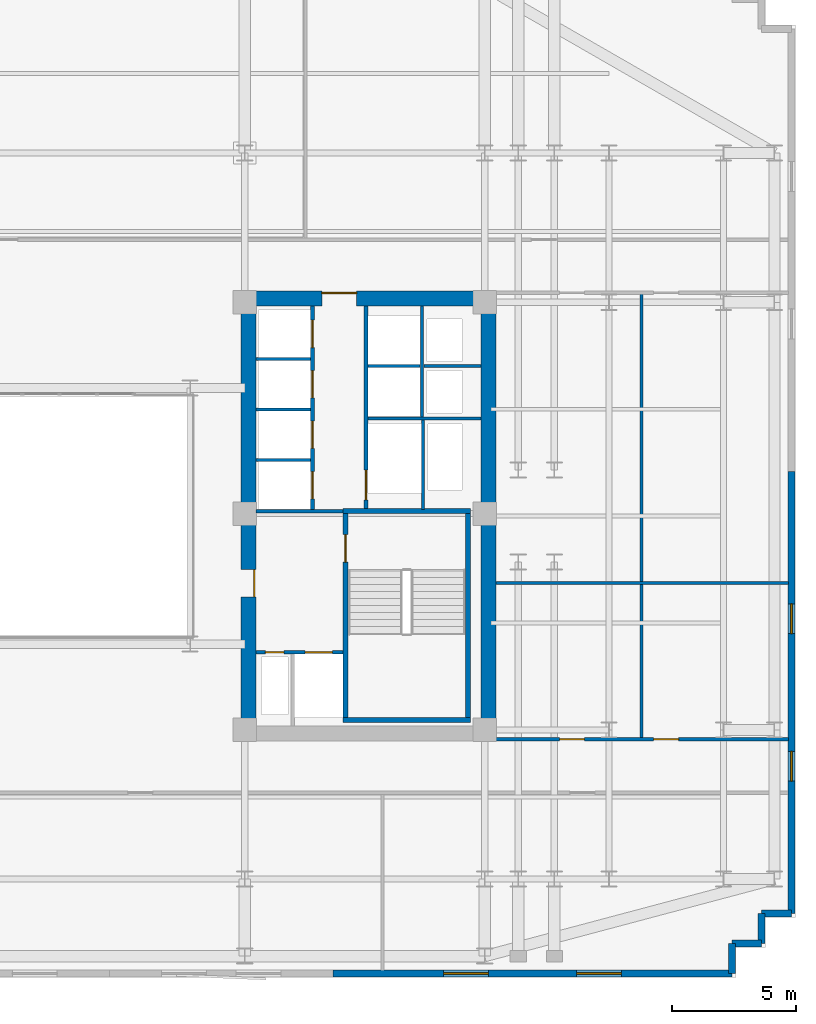
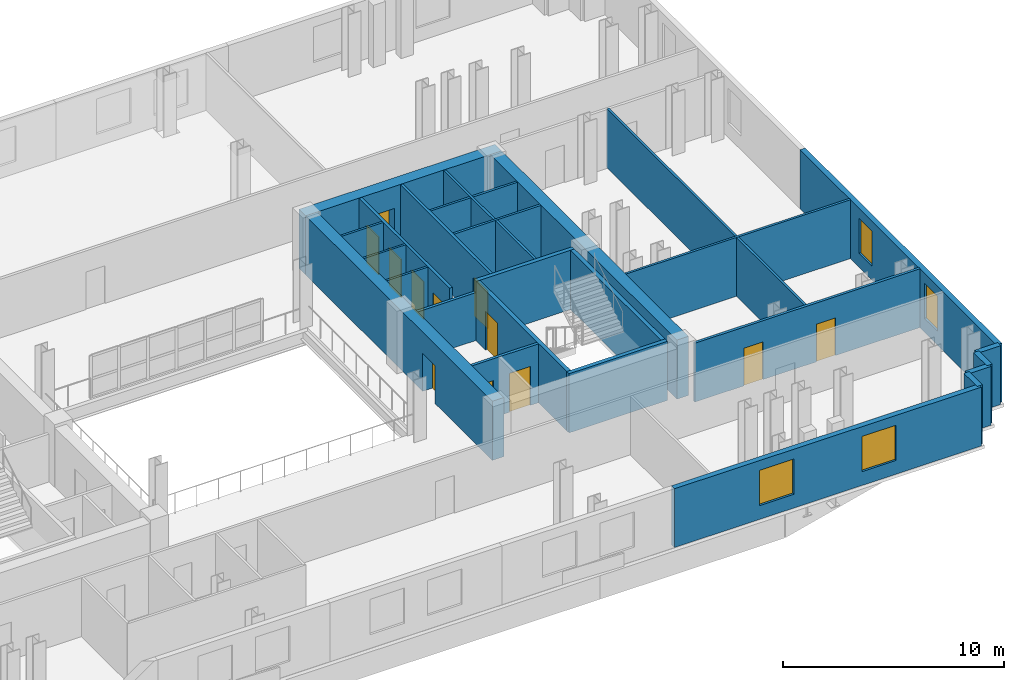
# One storey, part 9 of 12: 28 walls, 12 doors, 4 windows, 16 openings.
"""IFC4 building model written with IfcOpenShell, lengths in metres."""

from ifc_helpers import new_model, si_unit, direction, frame, frame_2d, origin, place, context, subcontext, project, spatial, rectangle, extrude, material, layer, layer_set, type_object, element, fill, save


model = new_model("IFC4")

# Units and contexts
model_context = context("Model", 3, precision=1e-05, world=origin(), true_north=direction((0.0, 1.0)))
body_context = subcontext(model_context, "Body", "Model", "MODEL_VIEW")
ifc_project = project(units=[si_unit("LENGTHUNIT", "METRE"), si_unit("AREAUNIT", "SQUARE_METRE"), si_unit("VOLUMEUNIT", "CUBIC_METRE"), si_unit("PLANEANGLEUNIT", "RADIAN"), si_unit("MASSUNIT", "GRAM", prefix="KILO")], contexts=[model_context])

# Site, building, storey
site_placement = place(None, origin())
site = spatial("IfcSite", under=ifc_project, at=site_placement, CompositionType="ELEMENT")
building_placement = place(site_placement, origin())
building = spatial("IfcBuilding", under=site, at=building_placement, Name="Velakula Bourse", CompositionType="ELEMENT")
storey_placement = place(building_placement, frame((0.0, 0.0, 120.85009765625)))
storey = spatial("IfcBuildingStorey", under=building, at=storey_placement, Name="L32", CompositionType="ELEMENT", Elevation=120.85009765625)

# Wall, opening, door
ifc_material_1 = material(Name="Concrete M50 (fck 50 MPa)", Category="concrete")
ifc_layer_1 = layer(ifc_material_1, 0.2099609375, Name="Concrete M50 (fck 50 MPa)", Category="concrete")
ifc_layer_set_1 = layer_set([ifc_layer_1], Name="Concrete M50 (fck 50 MPa)")
wall_type_1 = type_object("IfcWallType", Name="WL-CORE-210", PredefinedType="SHEAR", material=ifc_layer_set_1)
wall_1_placement = place(storey_placement, frame((12.9951171875, -8.10009765625, 0.0), z_axis=(0.0, 0.0, 1.0), x_axis=(0.0, 1.0, 0.0)))
wall_1 = element("IfcWall", 1, at=wall_1_placement, inside=storey, type_object=wall_type_1, Name="L32 Core E Stairwell Shear Wall IN", PredefinedType="SHEAR", context=body_context, shape_type="SweptSolid", body=[
    extrude(rectangle(XDim=8.2001953125, YDim=0.2099609375, at=frame_2d((4.10009765625, 0.0))), origin(), (0.0, 0.0, 1.0), 3.27001953125),
])
opening_1_placement = place(wall_1_placement, frame((6.25, 0.0, 0.0)))
opening_1 = element("IfcOpeningElement", 2, at=opening_1_placement, cuts=wall_1, Name="Opening D-STE1", PredefinedType="OPENING", context=body_context, shape_type="SweptSolid", body=[
    extrude(rectangle(XDim=1.10009765625, YDim=2.14990234375, at=frame_2d((0.550048828125, 1.074951171875))), frame((0.0, 0.114990234375, 0.0), z_axis=(0.0, -1.0, 0.0), x_axis=(1.0, 0.0, 0.0)), (0.0, 0.0, 1.0), 0.22998046875),
])
ifc_material_2 = material(Name="Galvanised painted hollow steel fire door", Category="steel")
door_type_1 = type_object("IfcDoorType", Name="DR-FD120-1100x2150", OperationType="NOTDEFINED", PredefinedType="DOOR", material=ifc_material_2)
door_1_placement = place(opening_1_placement, origin())
door_1 = element("IfcDoor", 3, at=door_1_placement, inside=storey, type_object=door_type_1, Name="L32 Stair ST-E1 Fire Door", OperationType="SINGLE_SWING_RIGHT", OverallHeight=2.14990234375, OverallWidth=1.10009765625, PredefinedType="DOOR", context=body_context, shape_type="SweptSolid", body=[
    extrude(rectangle(XDim=1.10009765625, YDim=2.14990234375, at=frame_2d((0.550048828125, 1.074951171875))), frame((0.0, 0.02490234375, 0.0), z_axis=(0.0, -1.0, 0.0), x_axis=(1.0, 0.0, 0.0)), (0.0, 0.0, 1.0), 0.050048828125),
])
fill(opening_1, door_1)

# Walls
wall_2_placement = place(storey_placement, frame((17.925048828125, -8.10009765625, 0.0), z_axis=(0.0, 0.0, 1.0), x_axis=(0.0, 1.0, 0.0)))
element("IfcWall", 4, at=wall_2_placement, inside=storey, type_object=wall_type_1, Name="L32 Core E Stairwell Shear Wall OUT", PredefinedType="SHEAR", context=body_context, shape_type="SweptSolid", body=[
    extrude(rectangle(XDim=8.2001953125, YDim=0.2099609375, at=frame_2d((4.10009765625, 0.0))), origin(), (0.0, 0.0, 1.0), 3.27001953125),
])
for number, where, z_axis, x_axis, name in (
    (5, (12.889892578125, -8.205078125, 0.0), (0.0, 0.0, 1.0), (1.0, 0.0, 0.0), "L32 Core E Stairwell Shear Wall S"),
    (6, (18.030029296875, 0.205078125, 0.0), (0.0, 0.0, 1.0), (-1.0, 0.0, 0.0), "L32 Core E Stairwell Shear Wall N"),
):
    element("IfcWall", number, at=place(storey_placement, frame(where, z_axis=z_axis, x_axis=x_axis)), inside=storey, type_object=wall_type_1, Name=name, PredefinedType="SHEAR", context=body_context, shape_type="SweptSolid", body=[
        extrude(rectangle(XDim=5.14013671875, YDim=0.2099609375, at=frame_2d((2.570068359375, 0.0))), origin(), (0.0, 0.0, 1.0), 3.27001953125),
    ])

# Wall, opening, door
ifc_material_3 = material(Name="Concrete M70 (fck 70 MPa)", Category="concrete")
ifc_layer_2 = layer(ifc_material_3, 0.60009765625, Name="Concrete M70 (fck 70 MPa)", Category="concrete")
ifc_layer_set_2 = layer_set([ifc_layer_2], Name="Concrete M70 (fck 70 MPa)")
wall_type_2 = type_object("IfcWallType", Name="WL-CORE-600", PredefinedType="SHEAR", material=ifc_layer_set_2)
wall_3_placement = place(storey_placement, frame((8.800048828125, 8.75, 0.0), z_axis=(0.0, 0.0, 1.0), x_axis=(1.0, 0.0, 0.0)))
wall_3 = element("IfcWall", 7, at=wall_3_placement, inside=storey, type_object=wall_type_2, Name="L32 Core E Shear Wall N", PredefinedType="SHEAR", context=body_context, shape_type="SweptSolid", body=[
    extrude(rectangle(XDim=10.25, YDim=0.60009765625, at=frame_2d((5.125, 0.0))), origin(), (0.0, 0.0, 1.0), 3.27001953125),
])
opening_2_placement = place(wall_3_placement, frame((3.25, 0.0, 0.0)))
opening_2 = element("IfcOpeningElement", 8, at=opening_2_placement, cuts=wall_3, Name="Opening D-LLE", PredefinedType="OPENING", context=body_context, shape_type="SweptSolid", body=[
    extrude(rectangle(XDim=1.39990234375, YDim=2.050048828125, at=frame_2d((0.699951171875, 1.02490234375))), frame((0.0, 0.31005859375, 0.0), z_axis=(0.0, -1.0, 0.0), x_axis=(1.0, 0.0, 0.0)), (0.0, 0.0, 1.0), 0.6201171875),
])
ifc_material_4 = material(Name="Fire-rated hardwood flush architectural door", Category="wood")
door_type_2 = type_object("IfcDoorType", Name="DR-DBL-FD60-1400", OperationType="DOUBLE_DOOR_SINGLE_SWING", PredefinedType="DOOR", material=ifc_material_4)
door_2_placement = place(opening_2_placement, origin())
door_2 = element("IfcDoor", 9, at=door_2_placement, inside=storey, type_object=door_type_2, Name="L32 Core E Lift Lobby Corridor Double Door", OperationType="DOUBLE_DOOR_SINGLE_SWING", OverallHeight=2.050048828125, OverallWidth=1.39990234375, PredefinedType="DOOR", context=body_context, shape_type="SweptSolid", body=[
    extrude(rectangle(XDim=1.39990234375, YDim=2.050048828125, at=frame_2d((0.699951171875, 1.02490234375))), frame((0.0, 0.2451171875, 0.0), z_axis=(0.0, -1.0, 0.0), x_axis=(1.0, 0.0, 0.0)), (0.0, 0.0, 1.0), 0.050048828125),
])
fill(opening_2, door_2)

wall_4_placement = place(storey_placement, frame((9.10009765625, -8.449951171875, 0.0), z_axis=(0.0, 0.0, 1.0), x_axis=(0.0, 1.0, 0.0)))
wall_4 = element("IfcWall", 10, at=wall_4_placement, inside=storey, type_object=wall_type_2, Name="L32 Core E Shear Wall W", PredefinedType="SHEAR", context=body_context, shape_type="SweptSolid", body=[
    extrude(rectangle(XDim=16.89990234375, YDim=0.60009765625, at=frame_2d((8.449951171875, 0.0))), origin(), (0.0, 0.0, 1.0), 3.27001953125),
])
opening_3_placement = place(wall_4_placement, frame((5.199951171875, 0.0, 0.0)))
opening_3 = element("IfcOpeningElement", 11, at=opening_3_placement, cuts=wall_4, Name="Opening D-FLE", PredefinedType="OPENING", context=body_context, shape_type="SweptSolid", body=[
    extrude(rectangle(XDim=1.10009765625, YDim=2.080078125, at=frame_2d((0.550048828125, 1.0400390625))), frame((0.0, 0.31005859375, 0.0), z_axis=(0.0, -1.0, 0.0), x_axis=(1.0, 0.0, 0.0)), (0.0, 0.0, 1.0), 0.6201171875),
])
door_type_3 = type_object("IfcDoorType", Name="DR-FD120-1100", OperationType="NOTDEFINED", PredefinedType="DOOR", material=ifc_material_2)
door_3_placement = place(opening_3_placement, origin())
door_3 = element("IfcDoor", 12, at=door_3_placement, inside=storey, type_object=door_type_3, Name="L32 Firefighting Lobby E Corridor Fire Door", OperationType="SINGLE_SWING_RIGHT", OverallHeight=2.080078125, OverallWidth=1.10009765625, PredefinedType="DOOR", context=body_context, shape_type="SweptSolid", body=[
    extrude(rectangle(XDim=1.10009765625, YDim=2.080078125, at=frame_2d((0.550048828125, 1.0400390625))), frame((0.0, -0.205078125, 0.0), z_axis=(0.0, -1.0, 0.0), x_axis=(1.0, 0.0, 0.0)), (0.0, 0.0, 1.0), 0.050048828125),
])
fill(opening_3, door_3)

# Wall
wall_5_placement = place(storey_placement, frame((18.75, -8.449951171875, 0.0), z_axis=(0.0, 0.0, 1.0), x_axis=(0.0, 1.0, 0.0)))
element("IfcWall", 13, at=wall_5_placement, inside=storey, type_object=wall_type_2, Name="L32 Core E Shear Wall E", PredefinedType="SHEAR", context=body_context, shape_type="SweptSolid", body=[
    extrude(rectangle(XDim=16.89990234375, YDim=0.60009765625, at=frame_2d((8.449951171875, 0.0))), origin(), (0.0, 0.0, 1.0), 3.27001953125),
])

# Wall, openings, windows
ifc_material_5 = material(Name="Red kilned clay facing brick masonry", Category="masonry")
ifc_layer_3 = layer(ifc_material_5, 0.280029296875, Name="Red kilned clay facing brick masonry", Category="masonry")
ifc_layer_set_3 = layer_set([ifc_layer_3], Name="Red kilned clay facing brick masonry")
wall_type_3 = type_object("IfcWallType", Name="WL-EXT-BRK-280", PredefinedType="STANDARD", material=ifc_layer_set_3)
wall_6_placement = place(storey_placement, frame((28.5400390625, -18.389892578125, 0.0), z_axis=(0.0, 0.0, 1.0), x_axis=(-1.0, 0.0, 0.0)))
wall_6 = element("IfcWall", 14, at=wall_6_placement, inside=storey, type_object=wall_type_3, Name="L32 S Brick Spandrel Wall B5", PredefinedType="STANDARD", context=body_context, shape_type="SweptSolid", body=[
    extrude(rectangle(XDim=16.0400390625, YDim=0.280029296875, at=frame_2d((8.02001953125, 0.0))), origin(), (0.0, 0.0, 1.0), 3.25),
])
opening_4_placement = place(wall_6_placement, frame((4.44677734375, 0.0, 0.760009765625)))
opening_4 = element("IfcOpeningElement", 15, at=opening_4_placement, cuts=wall_6, Name="Opening W-01", PredefinedType="OPENING", context=body_context, shape_type="SweptSolid", body=[
    extrude(rectangle(XDim=1.800048828125, YDim=1.949951171875, at=frame_2d((0.89990234375, 0.97509765625))), frame((0.0, 0.14990234375, 0.0), z_axis=(0.0, -1.0, 0.0), x_axis=(1.0, 0.0, 0.0)), (0.0, 0.0, 1.0), 0.300048828125),
])
opening_5_placement = place(wall_6_placement, frame((9.793212890625, 0.0, 0.760009765625)))
opening_5 = element("IfcOpeningElement", 16, at=opening_5_placement, cuts=wall_6, Name="Opening W-01", PredefinedType="OPENING", context=body_context, shape_type="SweptSolid", body=[
    extrude(rectangle(XDim=1.800048828125, YDim=1.949951171875, at=frame_2d((0.89990234375, 0.97509765625))), frame((0.0, 0.14990234375, 0.0), z_axis=(0.0, -1.0, 0.0), x_axis=(1.0, 0.0, 0.0)), (0.0, 0.0, 1.0), 0.300048828125),
])
ifc_material_6 = material(Name="Double-glazed solar-control Low-E glass", Category="glass")
window_type_1 = type_object("IfcWindowType", Name="WIN-TWR-1800x2100", PartitioningType="SINGLE_PANEL", PredefinedType="WINDOW", material=ifc_material_6)
window_1_placement = place(opening_4_placement, origin())
window_1 = element("IfcWindow", 17, at=window_1_placement, inside=storey, type_object=window_type_1, Name="L32 Deep-Set Recessed Window 1", OverallHeight=1.949951171875, OverallWidth=1.800048828125, PartitioningType="SINGLE_PANEL", PredefinedType="WINDOW", context=body_context, shape_type="SweptSolid", body=[
    extrude(rectangle(XDim=1.800048828125, YDim=1.949951171875, at=frame_2d((0.89990234375, 0.97509765625))), frame((0.0, 0.030029296875, 0.0), z_axis=(0.0, -1.0, 0.0), x_axis=(1.0, 0.0, 0.0)), (0.0, 0.0, 1.0), 0.06005859375),
])
fill(opening_4, window_1)
window_2_placement = place(opening_5_placement, origin())
window_2 = element("IfcWindow", 18, at=window_2_placement, inside=storey, type_object=window_type_1, Name="L32 Deep-Set Recessed Window 2", OverallHeight=1.949951171875, OverallWidth=1.800048828125, PartitioningType="SINGLE_PANEL", PredefinedType="WINDOW", context=body_context, shape_type="SweptSolid", body=[
    extrude(rectangle(XDim=1.800048828125, YDim=1.949951171875, at=frame_2d((0.89990234375, 0.97509765625))), frame((0.0, 0.030029296875, 0.0), z_axis=(0.0, -1.0, 0.0), x_axis=(1.0, 0.0, 0.0)), (0.0, 0.0, 1.0), 0.06005859375),
])
fill(opening_5, window_2)

wall_7_placement = place(storey_placement, frame((30.93994140625, 1.800048828125, 0.0), z_axis=(0.0, 0.0, 1.0), x_axis=(0.0, -1.0, 0.0)))
wall_7 = element("IfcWall", 19, at=wall_7_placement, inside=storey, type_object=wall_type_3, Name="L32 E Brick End Wall W1", PredefinedType="STANDARD", context=body_context, shape_type="SweptSolid", body=[
    extrude(rectangle(XDim=17.7900390625, YDim=0.280029296875, at=frame_2d((8.89501953125, 0.0))), origin(), (0.0, 0.0, 1.0), 3.25),
])
opening_6_placement = place(wall_7_placement, frame((5.330078125, 0.0, 0.760009765625)))
opening_6 = element("IfcOpeningElement", 20, at=opening_6_placement, cuts=wall_7, Name="Opening W-04", PredefinedType="OPENING", context=body_context, shape_type="SweptSolid", body=[
    extrude(rectangle(XDim=1.199951171875, YDim=1.949951171875, at=frame_2d((0.60009765625, 0.97509765625))), frame((0.0, 0.14990234375, 0.0), z_axis=(0.0, -1.0, 0.0), x_axis=(1.0, 0.0, 0.0)), (0.0, 0.0, 1.0), 0.300048828125),
])
opening_7_placement = place(wall_7_placement, frame((11.260009765625, 0.0, 0.760009765625)))
opening_7 = element("IfcOpeningElement", 21, at=opening_7_placement, cuts=wall_7, Name="Opening W-04", PredefinedType="OPENING", context=body_context, shape_type="SweptSolid", body=[
    extrude(rectangle(XDim=1.199951171875, YDim=1.949951171875, at=frame_2d((0.60009765625, 0.97509765625))), frame((0.0, 0.14990234375, 0.0), z_axis=(0.0, -1.0, 0.0), x_axis=(1.0, 0.0, 0.0)), (0.0, 0.0, 1.0), 0.300048828125),
])
window_type_2 = type_object("IfcWindowType", Name="WIN-TWR-1200x2100", PartitioningType="SINGLE_PANEL", PredefinedType="WINDOW", material=ifc_material_6)
window_3_placement = place(opening_6_placement, origin())
window_3 = element("IfcWindow", 22, at=window_3_placement, inside=storey, type_object=window_type_2, Name="L32 Deep-Set Recessed Window 1", OverallHeight=1.949951171875, OverallWidth=1.199951171875, PartitioningType="SINGLE_PANEL", PredefinedType="WINDOW", context=body_context, shape_type="SweptSolid", body=[
    extrude(rectangle(XDim=1.199951171875, YDim=1.949951171875, at=frame_2d((0.60009765625, 0.97509765625))), frame((0.0, 0.030029296875, 0.0), z_axis=(0.0, -1.0, 0.0), x_axis=(1.0, 0.0, 0.0)), (0.0, 0.0, 1.0), 0.06005859375),
])
fill(opening_6, window_3)
window_4_placement = place(opening_7_placement, origin())
window_4 = element("IfcWindow", 23, at=window_4_placement, inside=storey, type_object=window_type_2, Name="L32 Deep-Set Recessed Window 2", OverallHeight=1.949951171875, OverallWidth=1.199951171875, PartitioningType="SINGLE_PANEL", PredefinedType="WINDOW", context=body_context, shape_type="SweptSolid", body=[
    extrude(rectangle(XDim=1.199951171875, YDim=1.949951171875, at=frame_2d((0.60009765625, 0.97509765625))), frame((0.0, 0.030029296875, 0.0), z_axis=(0.0, -1.0, 0.0), x_axis=(1.0, 0.0, 0.0)), (0.0, 0.0, 1.0), 0.06005859375),
])
fill(opening_7, window_4)

# Walls
for number, where, z_axis, x_axis, name in (
    (24, (28.5400390625, -18.389892578125, 0.0), (0.0, 0.0, 1.0), (0.0, 1.0, 0.0), "L32 Serrated Corner Brick Wall SE-1"),
    (25, (28.5400390625, -17.18994140625, 0.0), (0.0, 0.0, 1.0), (1.0, 0.0, 0.0), "L32 Serrated Corner Brick Wall SE-2"),
    (26, (29.739990234375, -17.18994140625, 0.0), (0.0, 0.0, 1.0), (0.0, 1.0, 0.0), "L32 Serrated Corner Brick Wall SE-3"),
    (27, (29.739990234375, -15.989990234375, 0.0), (0.0, 0.0, 1.0), (1.0, 0.0, 0.0), "L32 Serrated Corner Brick Wall SE-4"),
):
    element("IfcWall", number, at=place(storey_placement, frame(where, z_axis=z_axis, x_axis=x_axis)), inside=storey, type_object=wall_type_3, Name=name, PredefinedType="STANDARD", context=body_context, shape_type="SweptSolid", body=[
        extrude(rectangle(XDim=1.199951171875, YDim=0.280029296875, at=frame_2d((0.60009765625, 0.0))), origin(), (0.0, 0.0, 1.0), 3.25),
    ])
ifc_material_7 = material(Name="Fire-rated double-layer gypsum drywall partition", Category="gypsum")
ifc_layer_4 = layer(ifc_material_7, 0.1201171875, Name="Fire-rated double-layer gypsum drywall partition", Category="gypsum")
ifc_layer_set_4 = layer_set([ifc_layer_4], Name="Fire-rated double-layer gypsum drywall partition")
wall_type_4 = type_object("IfcWallType", Name="WL-PART-120", PredefinedType="STANDARD", material=ifc_layer_set_4)
for number, where, z_axis, x_axis, name in (
    (28, (9.39990234375, 2.2548828125, 0.0), (0.0, 0.0, 1.0), (1.0, 0.0, 0.0), "L32 Interior Partition WL-CRE-L32-BDIV-0"),
    (29, (9.39990234375, 4.284912109375, 0.0), (0.0, 0.0, 1.0), (1.0, 0.0, 0.0), "L32 Interior Partition WL-CRE-L32-BDIV-1"),
    (30, (9.39990234375, 6.31494140625, 0.0), (0.0, 0.0, 1.0), (1.0, 0.0, 0.0), "L32 Interior Partition WL-CRE-L32-BDIV-2"),
):
    element("IfcWall", number, at=place(storey_placement, frame(where, z_axis=z_axis, x_axis=x_axis)), inside=storey, type_object=wall_type_4, Name=name, PredefinedType="STANDARD", context=body_context, shape_type="SweptSolid", body=[
        extrude(rectangle(XDim=2.2001953125, YDim=0.110107421875, at=frame_2d((1.10009765625, 0.0))), origin(), (0.0, 0.0, 1.0), 3.25),
    ])
wall_8_placement = place(storey_placement, frame((13.89990234375, 3.919921875, 0.0), z_axis=(0.0, 0.0, 1.0), x_axis=(1.0, 0.0, 0.0)))
element("IfcWall", 31, at=wall_8_placement, inside=storey, type_object=wall_type_4, Name="L32 Interior Partition WL-CRE-L32-HI-S", PredefinedType="STANDARD", context=body_context, shape_type="SweptSolid", body=[
    extrude(rectangle(XDim=4.550048828125, YDim=0.1201171875, at=frame_2d((2.27490234375, 0.0))), origin(), (0.0, 0.0, 1.0), 3.25),
])
wall_9_placement = place(storey_placement, frame((16.14990234375, 6.030029296875, 0.0), z_axis=(0.0, 0.0, 1.0), x_axis=(1.0, 0.0, 0.0)))
element("IfcWall", 32, at=wall_9_placement, inside=storey, type_object=wall_type_4, Name="L32 Interior Partition WL-CRE-L32-RIS-MID", PredefinedType="STANDARD", context=body_context, shape_type="SweptSolid", body=[
    extrude(rectangle(XDim=2.300048828125, YDim=0.1201171875, at=frame_2d((1.14990234375, 0.0))), origin(), (0.0, 0.0, 1.0), 3.25),
])
wall_10_placement = place(storey_placement, frame((16.074951171875, 3.97998046875, 0.0), z_axis=(0.0, 0.0, 1.0), x_axis=(0.0, 1.0, 0.0)))
element("IfcWall", 33, at=wall_10_placement, inside=storey, type_object=wall_type_4, Name="L32 Interior Partition WL-CRE-L32-RIS-F", PredefinedType="STANDARD", context=body_context, shape_type="SweptSolid", body=[
    extrude(rectangle(XDim=4.469970703125, YDim=0.1201171875, at=frame_2d((2.23486328125, 0.0))), origin(), (0.0, 0.0, 1.0), 3.25),
])
wall_11_placement = place(storey_placement, frame((13.89990234375, 6.030029296875, 0.0), z_axis=(0.0, 0.0, 1.0), x_axis=(1.0, 0.0, 0.0)))
element("IfcWall", 34, at=wall_11_placement, inside=storey, type_object=wall_type_4, Name="L32 Interior Partition WL-CRE-L32-HI-DIV", PredefinedType="STANDARD", context=body_context, shape_type="SweptSolid", body=[
    extrude(rectangle(XDim=2.10009765625, YDim=0.1201171875, at=frame_2d((1.050048828125, 0.0))), origin(), (0.0, 0.0, 1.0), 3.25),
])
wall_12_placement = place(storey_placement, frame((16.125, 0.27001953125, 0.0), z_axis=(0.0, 0.0, 1.0), x_axis=(0.0, 1.0, 0.0)))
element("IfcWall", 35, at=wall_12_placement, inside=storey, type_object=wall_type_4, Name="L32 Interior Partition WL-CRE-L32-SVL-E", PredefinedType="STANDARD", context=body_context, shape_type="SweptSolid", body=[
    extrude(rectangle(XDim=3.590087890625, YDim=0.1201171875, at=frame_2d((1.794921875, 0.0))), origin(), (0.0, 0.0, 1.0), 3.25),
])
wall_13_placement = place(storey_placement, frame((19.050048828125, -2.699951171875, 0.0), z_axis=(0.0, 0.0, 1.0), x_axis=(1.0, 0.0, 0.0)))
element("IfcWall", 36, at=wall_13_placement, inside=storey, type_object=wall_type_4, Name="L32 Interior Partition WL-INT-L32-E-H", PredefinedType="STANDARD", context=body_context, shape_type="SweptSolid", body=[
    extrude(rectangle(XDim=11.77001953125, YDim=0.1201171875, at=frame_2d((5.885009765625, 0.0))), origin(), (0.0, 0.0, 1.0), 3.25),
])
wall_14_placement = place(storey_placement, frame((24.905029296875, -8.97998046875, 0.0), z_axis=(0.0, 0.0, 1.0), x_axis=(0.0, 1.0, 0.0)))
element("IfcWall", 37, at=wall_14_placement, inside=storey, type_object=wall_type_4, Name="L32 Interior Partition WL-INT-L32-E-V1", PredefinedType="STANDARD", context=body_context, shape_type="SweptSolid", body=[
    extrude(rectangle(XDim=17.9599609375, YDim=0.1201171875, at=frame_2d((8.97998046875, 0.0))), origin(), (0.0, 0.0, 1.0), 3.25),
])

# Wall, openings, doors
ifc_layer_5 = layer(ifc_material_7, 0.139892578125, Name="Fire-rated double-layer gypsum drywall partition", Category="gypsum")
ifc_layer_set_5 = layer_set([ifc_layer_5], Name="Fire-rated double-layer gypsum drywall partition")
wall_type_5 = type_object("IfcWallType", Name="WL-PART-140", PredefinedType="STANDARD", material=ifc_layer_set_5)
wall_15_placement = place(storey_placement, frame((19.050048828125, -8.97998046875, 0.0), z_axis=(0.0, 0.0, 1.0), x_axis=(1.0, 0.0, 0.0)))
wall_15 = element("IfcWall", 38, at=wall_15_placement, inside=storey, type_object=wall_type_5, Name="L32 Interior Partition WL-INT-L32-E-SC", PredefinedType="STANDARD", context=body_context, shape_type="SweptSolid", body=[
    extrude(rectangle(XDim=11.77001953125, YDim=0.139892578125, at=frame_2d((5.885009765625, 0.0))), origin(), (0.0, 0.0, 1.0), 3.25),
])
opening_8_placement = place(wall_15_placement, frame((2.5576171875, 0.0, 0.0)))
opening_8 = element("IfcOpeningElement", 39, at=opening_8_placement, cuts=wall_15, Name="Opening D-OF1", PredefinedType="OPENING", context=body_context, shape_type="SweptSolid", body=[
    extrude(rectangle(XDim=1.0, YDim=2.080078125, at=frame_2d((0.5, 1.0400390625))), frame((0.0, 0.079833984375, 0.0), z_axis=(0.0, -1.0, 0.0), x_axis=(1.0, 0.0, 0.0)), (0.0, 0.0, 1.0), 0.159912109375),
])
opening_9_placement = place(wall_15_placement, frame((6.346923828125, 0.0, 0.0)))
opening_9 = element("IfcOpeningElement", 40, at=opening_9_placement, cuts=wall_15, Name="Opening D-OF1", PredefinedType="OPENING", context=body_context, shape_type="SweptSolid", body=[
    extrude(rectangle(XDim=1.0, YDim=2.080078125, at=frame_2d((0.5, 1.0400390625))), frame((0.0, 0.079833984375, 0.0), z_axis=(0.0, -1.0, 0.0), x_axis=(1.0, 0.0, 0.0)), (0.0, 0.0, 1.0), 0.159912109375),
])
door_type_4 = type_object("IfcDoorType", Name="DR-OFF-1000", OperationType="NOTDEFINED", PredefinedType="DOOR", material=ifc_material_4)
door_4_placement = place(opening_8_placement, origin())
door_4 = element("IfcDoor", 41, at=door_4_placement, inside=storey, type_object=door_type_4, Name="L32 Legal Counsel Office Door", OperationType="SINGLE_SWING_LEFT", OverallHeight=2.080078125, OverallWidth=1.0, PredefinedType="DOOR", context=body_context, shape_type="SweptSolid", body=[
    extrude(rectangle(XDim=1.0, YDim=2.080078125, at=frame_2d((0.5, 1.0400390625))), frame((0.0, 0.02490234375, 0.0), z_axis=(0.0, -1.0, 0.0), x_axis=(1.0, 0.0, 0.0)), (0.0, 0.0, 1.0), 0.050048828125),
])
fill(opening_8, door_4)
door_5_placement = place(opening_9_placement, origin())
door_5 = element("IfcDoor", 42, at=door_5_placement, inside=storey, type_object=door_type_4, Name="L32 Disciplinary Hearing Room Door", OperationType="SINGLE_SWING_RIGHT", OverallHeight=2.080078125, OverallWidth=1.0, PredefinedType="DOOR", context=body_context, shape_type="SweptSolid", body=[
    extrude(rectangle(XDim=1.0, YDim=2.080078125, at=frame_2d((0.5, 1.0400390625))), frame((0.0, 0.02490234375, 0.0), z_axis=(0.0, -1.0, 0.0), x_axis=(1.0, 0.0, 0.0)), (0.0, 0.0, 1.0), 0.050048828125),
])
fill(opening_9, door_5)

ifc_material_8 = material(Name="Autoclaved aerated concrete blockwork masonry", Category="masonry")
ifc_layer_6 = layer(ifc_material_8, 0.14990234375, Name="Autoclaved aerated concrete blockwork masonry", Category="masonry")
ifc_layer_set_6 = layer_set([ifc_layer_6], Name="Autoclaved aerated concrete blockwork masonry")
wall_type_6 = type_object("IfcWallType", Name="WL-SHAFT-150", PredefinedType="STANDARD", material=ifc_layer_set_6)
wall_16_placement = place(storey_placement, frame((9.39990234375, -5.47509765625, 0.0), z_axis=(0.0, 0.0, 1.0), x_axis=(1.0, 0.0, 0.0)))
wall_16 = element("IfcWall", 43, at=wall_16_placement, inside=storey, type_object=wall_type_6, Name="L32 Interior Partition WL-CRE-L32-FFL-N", PredefinedType="STANDARD", context=body_context, shape_type="SweptSolid", body=[
    extrude(rectangle(XDim=3.4951171875, YDim=0.14990234375, at=frame_2d((1.74755859375, 0.0))), origin(), (0.0, 0.0, 1.0), 3.25),
])
opening_10_placement = place(wall_16_placement, frame((1.97509765625, 0.0, 0.0)))
opening_10 = element("IfcOpeningElement", 44, at=opening_10_placement, cuts=wall_16, Name="Opening LD-FFL-2", PredefinedType="OPENING", context=body_context, shape_type="SweptSolid", body=[
    extrude(rectangle(XDim=1.10009765625, YDim=2.14990234375, at=frame_2d((0.550048828125, 1.074951171875))), frame((0.0, 0.0849609375, 0.0), z_axis=(0.0, -1.0, 0.0), x_axis=(1.0, 0.0, 0.0)), (0.0, 0.0, 1.0), 0.169921875),
])
opening_11_placement = place(wall_16_placement, frame((0.375, 0.0, 0.0)))
opening_11 = element("IfcOpeningElement", 45, at=opening_11_placement, cuts=wall_16, Name="Opening D-RS1", PredefinedType="OPENING", context=body_context, shape_type="SweptSolid", body=[
    extrude(rectangle(XDim=0.75, YDim=2.050048828125, at=frame_2d((0.375, 1.02490234375))), frame((0.0, 0.0849609375, 0.0), z_axis=(0.0, -1.0, 0.0), x_axis=(1.0, 0.0, 0.0)), (0.0, 0.0, 1.0), 0.169921875),
])
door_type_5 = type_object("IfcDoorType", Name="DR-RISER-800", OperationType="NOTDEFINED", PredefinedType="DOOR", material=ifc_material_2)
door_6_placement = place(opening_11_placement, origin())
door_6 = element("IfcDoor", 46, at=door_6_placement, inside=storey, type_object=door_type_5, Name="L32 Fire Riser Access Door", OperationType="SINGLE_SWING_LEFT", OverallHeight=2.050048828125, OverallWidth=0.75, PredefinedType="DOOR", context=body_context, shape_type="SweptSolid", body=[
    extrude(rectangle(XDim=0.75, YDim=2.050048828125, at=frame_2d((0.375, 1.02490234375))), frame((0.0, 0.02490234375, 0.0), z_axis=(0.0, -1.0, 0.0), x_axis=(1.0, 0.0, 0.0)), (0.0, 0.0, 1.0), 0.050048828125),
])
fill(opening_11, door_6)
ifc_material_9 = material(Name="Brushed grade 316 stainless steel", Category="steel")
door_type_6 = type_object("IfcDoorType", Name="DR-SLIDE-FFL-1100", OperationType="DOUBLE_DOOR_SLIDING", PredefinedType="DOOR", material=ifc_material_9)
door_7_placement = place(opening_10_placement, origin())
door_7 = element("IfcDoor", 47, at=door_7_placement, inside=storey, type_object=door_type_6, Name="L32 Firefighting Lift FFL-2 Sliding Landing Door", OperationType="DOUBLE_DOOR_SLIDING", OverallHeight=2.14990234375, OverallWidth=1.10009765625, PredefinedType="DOOR", context=body_context, shape_type="SweptSolid", body=[
    extrude(rectangle(XDim=1.10009765625, YDim=2.14990234375, at=frame_2d((0.550048828125, 1.074951171875))), frame((0.0, 0.02490234375, 0.0), z_axis=(0.0, -1.0, 0.0), x_axis=(1.0, 0.0, 0.0)), (0.0, 0.0, 1.0), 0.050048828125),
])
fill(opening_10, door_7)

# Wall
wall_17_placement = place(storey_placement, frame((9.39990234375, 0.18994140625, 0.0), z_axis=(0.0, 0.0, 1.0), x_axis=(1.0, 0.0, 0.0)))
element("IfcWall", 48, at=wall_17_placement, inside=storey, type_object=wall_type_6, Name="L32 Interior Partition WL-CRE-L32-FF-TOP", PredefinedType="STANDARD", context=body_context, shape_type="SweptSolid", body=[
    extrude(rectangle(XDim=3.489990234375, YDim=0.14990234375, at=frame_2d((1.7451171875, 0.0))), origin(), (0.0, 0.0, 1.0), 2.64501953125),
])

# Wall, openings, doors
wall_18_placement = place(storey_placement, frame((11.675048828125, 0.27001953125, 0.0), z_axis=(0.0, 0.0, 1.0), x_axis=(0.0, 1.0, 0.0)))
wall_18 = element("IfcWall", 49, at=wall_18_placement, inside=storey, type_object=wall_type_6, Name="L32 Interior Partition WL-CRE-L32-BANK-F", PredefinedType="STANDARD", context=body_context, shape_type="SweptSolid", body=[
    extrude(rectangle(XDim=8.179931640625, YDim=0.14990234375, at=frame_2d((4.08984375, 0.0))), origin(), (0.0, 0.0, 1.0), 3.25),
])
opening_12_placement = place(wall_18_placement, frame((0.419921875, 0.0, 0.0)))
opening_12 = element("IfcOpeningElement", 50, at=opening_12_placement, cuts=wall_18, Name="Opening LD-P5", PredefinedType="OPENING", context=body_context, shape_type="SweptSolid", body=[
    extrude(rectangle(XDim=1.10009765625, YDim=2.10009765625, at=frame_2d((0.550048828125, 1.050048828125))), frame((0.0, 0.0849609375, 0.0), z_axis=(0.0, -1.0, 0.0), x_axis=(1.0, 0.0, 0.0)), (0.0, 0.0, 1.0), 0.169921875),
])
opening_13_placement = place(wall_18_placement, frame((2.449951171875, 0.0, 0.0)))
opening_13 = element("IfcOpeningElement", 51, at=opening_13_placement, cuts=wall_18, Name="Opening LD-P6", PredefinedType="OPENING", context=body_context, shape_type="SweptSolid", body=[
    extrude(rectangle(XDim=1.10009765625, YDim=2.10009765625, at=frame_2d((0.550048828125, 1.050048828125))), frame((0.0, 0.0849609375, 0.0), z_axis=(0.0, -1.0, 0.0), x_axis=(1.0, 0.0, 0.0)), (0.0, 0.0, 1.0), 0.169921875),
])
opening_14_placement = place(wall_18_placement, frame((4.47998046875, 0.0, 0.0)))
opening_14 = element("IfcOpeningElement", 52, at=opening_14_placement, cuts=wall_18, Name="Opening LD-P7", PredefinedType="OPENING", context=body_context, shape_type="SweptSolid", body=[
    extrude(rectangle(XDim=1.10009765625, YDim=2.10009765625, at=frame_2d((0.550048828125, 1.050048828125))), frame((0.0, 0.0849609375, 0.0), z_axis=(0.0, -1.0, 0.0), x_axis=(1.0, 0.0, 0.0)), (0.0, 0.0, 1.0), 0.169921875),
])
opening_15_placement = place(wall_18_placement, frame((6.510009765625, 0.0, 0.0)))
opening_15 = element("IfcOpeningElement", 53, at=opening_15_placement, cuts=wall_18, Name="Opening LD-P8", PredefinedType="OPENING", context=body_context, shape_type="SweptSolid", body=[
    extrude(rectangle(XDim=1.10009765625, YDim=2.10009765625, at=frame_2d((0.550048828125, 1.050048828125))), frame((0.0, 0.0849609375, 0.0), z_axis=(0.0, -1.0, 0.0), x_axis=(1.0, 0.0, 0.0)), (0.0, 0.0, 1.0), 0.169921875),
])
door_type_7 = type_object("IfcDoorType", Name="DR-SLIDE-LD-1100", OperationType="DOUBLE_DOOR_SLIDING", PredefinedType="DOOR", material=ifc_material_9)
door_8_placement = place(opening_12_placement, origin())
door_8 = element("IfcDoor", 54, at=door_8_placement, inside=storey, type_object=door_type_7, Name="L32 Passenger Lift P5 Sliding Landing Door", OperationType="DOUBLE_DOOR_SLIDING", OverallHeight=2.10009765625, OverallWidth=1.10009765625, PredefinedType="DOOR", context=body_context, shape_type="SweptSolid", body=[
    extrude(rectangle(XDim=1.10009765625, YDim=2.10009765625, at=frame_2d((0.550048828125, 1.050048828125))), frame((0.0, 0.02490234375, 0.0), z_axis=(0.0, -1.0, 0.0), x_axis=(1.0, 0.0, 0.0)), (0.0, 0.0, 1.0), 0.050048828125),
])
fill(opening_12, door_8)
door_9_placement = place(opening_13_placement, origin())
door_9 = element("IfcDoor", 55, at=door_9_placement, inside=storey, type_object=door_type_7, Name="L32 Passenger Lift P6 Sliding Landing Door", OperationType="DOUBLE_DOOR_SLIDING", OverallHeight=2.10009765625, OverallWidth=1.10009765625, PredefinedType="DOOR", context=body_context, shape_type="SweptSolid", body=[
    extrude(rectangle(XDim=1.10009765625, YDim=2.10009765625, at=frame_2d((0.550048828125, 1.050048828125))), frame((0.0, 0.02490234375, 0.0), z_axis=(0.0, -1.0, 0.0), x_axis=(1.0, 0.0, 0.0)), (0.0, 0.0, 1.0), 0.050048828125),
])
fill(opening_13, door_9)
door_10_placement = place(opening_14_placement, origin())
door_10 = element("IfcDoor", 56, at=door_10_placement, inside=storey, type_object=door_type_7, Name="L32 Passenger Lift P7 Sliding Landing Door", OperationType="DOUBLE_DOOR_SLIDING", OverallHeight=2.10009765625, OverallWidth=1.10009765625, PredefinedType="DOOR", context=body_context, shape_type="SweptSolid", body=[
    extrude(rectangle(XDim=1.10009765625, YDim=2.10009765625, at=frame_2d((0.550048828125, 1.050048828125))), frame((0.0, 0.02490234375, 0.0), z_axis=(0.0, -1.0, 0.0), x_axis=(1.0, 0.0, 0.0)), (0.0, 0.0, 1.0), 0.050048828125),
])
fill(opening_14, door_10)
door_11_placement = place(opening_15_placement, origin())
door_11 = element("IfcDoor", 57, at=door_11_placement, inside=storey, type_object=door_type_7, Name="L32 Passenger Lift P8 Sliding Landing Door", OperationType="DOUBLE_DOOR_SLIDING", OverallHeight=2.10009765625, OverallWidth=1.10009765625, PredefinedType="DOOR", context=body_context, shape_type="SweptSolid", body=[
    extrude(rectangle(XDim=1.10009765625, YDim=2.10009765625, at=frame_2d((0.550048828125, 1.050048828125))), frame((0.0, 0.02490234375, 0.0), z_axis=(0.0, -1.0, 0.0), x_axis=(1.0, 0.0, 0.0)), (0.0, 0.0, 1.0), 0.050048828125),
])
fill(opening_15, door_11)

# Wall, opening, door
wall_19_placement = place(storey_placement, frame((13.824951171875, 0.27001953125, 0.0), z_axis=(0.0, 0.0, 1.0), x_axis=(0.0, 1.0, 0.0)))
wall_19 = element("IfcWall", 58, at=wall_19_placement, inside=storey, type_object=wall_type_6, Name="L32 Interior Partition WL-CRE-L32-OUT-F", PredefinedType="STANDARD", context=body_context, shape_type="SweptSolid", body=[
    extrude(rectangle(XDim=8.179931640625, YDim=0.14990234375, at=frame_2d((4.08984375, 0.0))), origin(), (0.0, 0.0, 1.0), 3.25),
])
opening_16_placement = place(wall_19_placement, frame((0.3798828125, 0.0, 0.0)))
opening_16 = element("IfcOpeningElement", 59, at=opening_16_placement, cuts=wall_19, Name="Opening LD-SVL1", PredefinedType="OPENING", context=body_context, shape_type="SweptSolid", body=[
    extrude(rectangle(XDim=1.199951171875, YDim=2.10009765625, at=frame_2d((0.60009765625, 1.050048828125))), frame((0.0, 0.0849609375, 0.0), z_axis=(0.0, -1.0, 0.0), x_axis=(1.0, 0.0, 0.0)), (0.0, 0.0, 1.0), 0.169921875),
])
door_type_8 = type_object("IfcDoorType", Name="DR-SLIDE-LD-1200", OperationType="DOUBLE_DOOR_SLIDING", PredefinedType="DOOR", material=ifc_material_9)
door_12_placement = place(opening_16_placement, origin())
door_12 = element("IfcDoor", 60, at=door_12_placement, inside=storey, type_object=door_type_8, Name="L32 Service Lift SVL-1 Sliding Landing Door", OperationType="DOUBLE_DOOR_SLIDING", OverallHeight=2.10009765625, OverallWidth=1.199951171875, PredefinedType="DOOR", context=body_context, shape_type="SweptSolid", body=[
    extrude(rectangle(XDim=1.199951171875, YDim=2.10009765625, at=frame_2d((0.60009765625, 1.050048828125))), frame((0.0, 0.02490234375, 0.0), z_axis=(0.0, -1.0, 0.0), x_axis=(1.0, 0.0, 0.0)), (0.0, 0.0, 1.0), 0.050048828125),
])
fill(opening_16, door_12)

save(model, "model.ifc")
